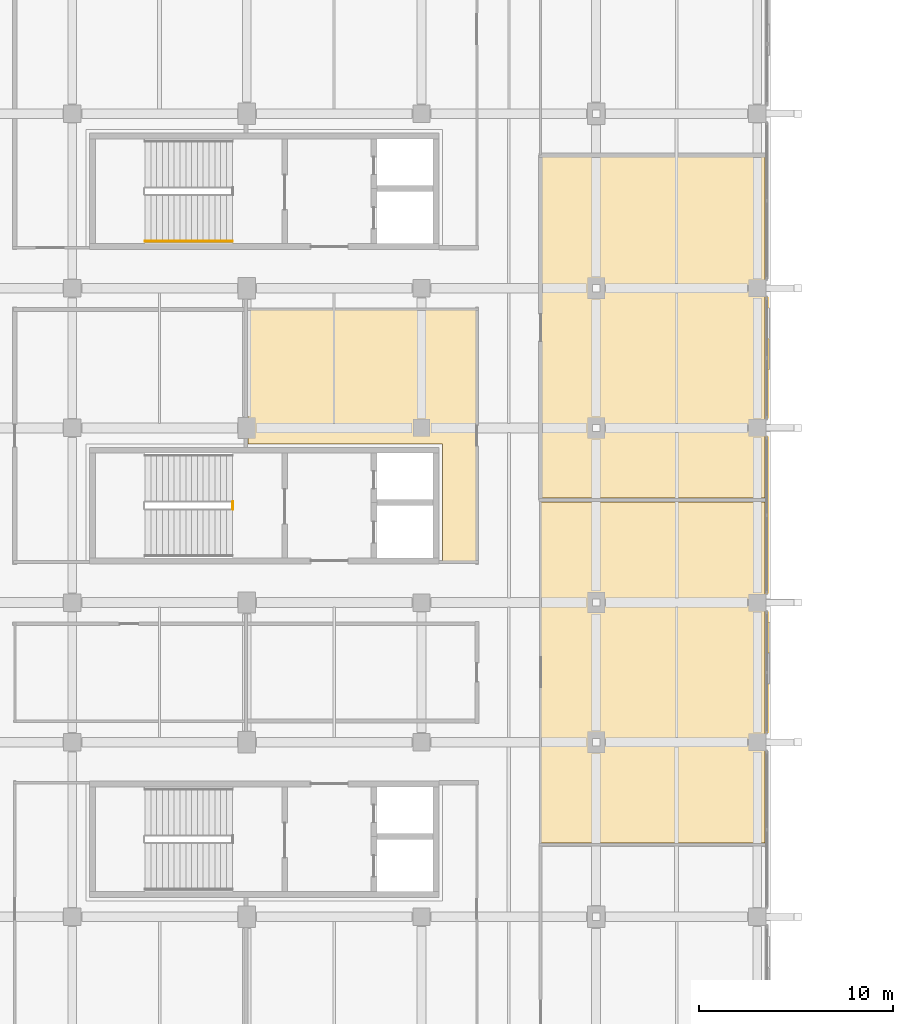
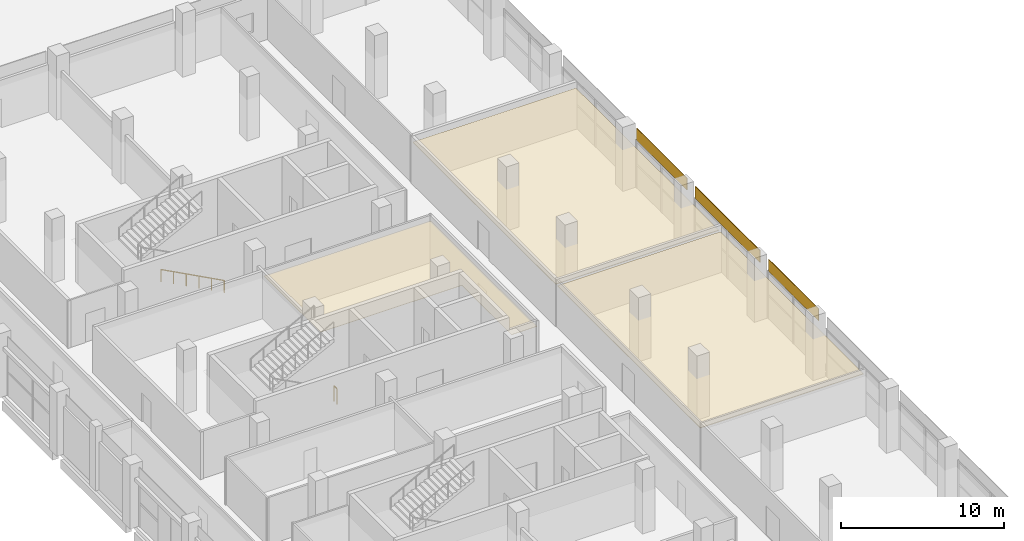
# One storey, part 69 of 82: 6 coverings, 2 railings.
"""IFC4 building model written with IfcOpenShell, lengths in metres."""

from ifc_helpers import new_model, si_unit, direction, frame, origin, origin_2d, place, context, subcontext, project, spatial, polyline, rectangle, circle, outline, extrude, material, layer, layer_set, type_object, element, save


model = new_model("IFC4")

# Units and contexts
model_context = context("Model", 3, precision=1e-05, world=origin(), true_north=direction((0.0, 1.0)))
body_context = subcontext(model_context, "Body", "Model", "MODEL_VIEW")
ifc_project = project(units=[si_unit("LENGTHUNIT", "METRE"), si_unit("AREAUNIT", "SQUARE_METRE"), si_unit("VOLUMEUNIT", "CUBIC_METRE"), si_unit("PLANEANGLEUNIT", "RADIAN"), si_unit("MASSUNIT", "GRAM", prefix="KILO"), si_unit("THERMODYNAMICTEMPERATUREUNIT", "KELVIN"), si_unit("POWERUNIT", "WATT")], contexts=[model_context])

# Site, building, storey
site_placement = place(None, origin())
site = spatial("IfcSite", under=ifc_project, at=site_placement, CompositionType="ELEMENT")
building_placement = place(site_placement, origin())
building = spatial("IfcBuilding", under=site, at=building_placement, Name="Sindhuravela Promenade Stadium", CompositionType="ELEMENT")
storey_placement = place(building_placement, frame((0.0, 0.0, 14.39990234375)))
storey = spatial("IfcBuildingStorey", under=building, at=storey_placement, Name="L03", CompositionType="ELEMENT", Elevation=14.39990234375)

# Coverings
ifc_material_1 = material(Name="Acoustic mineral-fibre ceiling tile", Category="gypsum")
ifc_layer_1 = layer(ifc_material_1, 0.02490234375)
ifc_layer_set_1 = layer_set([ifc_layer_1], Name="Acoustic mineral-fibre ceiling tile")
covering_type_1 = type_object("IfcCoveringType", Name="CV-CEIL-1", PredefinedType="CEILING", material=ifc_layer_set_1)
covering_1_placement = place(storey_placement, frame((0.0, 0.0, 3.050048828125)))
element("IfcCovering", 1, at=covering_1_placement, inside=storey, type_object=covering_type_1, Name="Acoustic ceiling Executive Hospitality Suite W02 4", PredefinedType="CEILING", context=body_context, shape_type="SweptSolid", body=[
    extrude(outline(polyline([(29.860107421875, 99.72998046875), (29.862060546875, 99.72998046875), (29.864013671875, 99.7294921875), (29.86572265625, 99.72900390625), (29.86767578125, 99.728515625), (29.869384765625, 99.7275390625), (29.87109375, 99.7265625), (29.872802734375, 99.7255859375), (29.8740234375, 99.72412109375), (29.87548828125, 99.72265625), (29.876708984375, 99.72119140625), (29.877685546875, 99.719482421875), (29.87841796875, 99.7177734375), (29.879150390625, 99.7158203125), (29.879638671875, 99.7138671875), (29.8798828125, 99.7119140625), (29.8798828125, 99.7099609375), (29.8798828125, 86.68994140625), (29.8798828125, 86.68798828125), (29.879638671875, 86.68603515625), (29.879150390625, 86.68408203125), (29.87841796875, 86.682373046875), (29.877685546875, 86.6806640625), (29.876708984375, 86.678955078125), (29.87548828125, 86.67724609375), (29.8740234375, 86.67578125), (29.872802734375, 86.674560546875), (29.87109375, 86.67333984375), (29.869384765625, 86.67236328125), (29.86767578125, 86.67138671875), (29.86572265625, 86.6708984375), (29.864013671875, 86.67041015625), (29.862060546875, 86.670166015625), (29.860107421875, 86.669921875), (28.10009765625, 86.669921875), (28.097900390625, 86.670166015625), (28.09619140625, 86.67041015625), (28.09423828125, 86.6708984375), (28.09228515625, 86.67138671875), (28.090576171875, 86.67236328125), (28.0888671875, 86.67333984375), (28.08740234375, 86.674560546875), (28.0859375, 86.67578125), (28.08447265625, 86.67724609375), (28.08349609375, 86.678955078125), (28.08251953125, 86.6806640625), (28.08154296875, 86.682373046875), (28.080810546875, 86.68408203125), (28.080322265625, 86.68603515625), (28.080078125, 86.68798828125), (28.080078125, 86.68994140625), (28.080078125, 92.780029296875), (18.070068359375, 92.780029296875), (18.068115234375, 92.780029296875), (18.066162109375, 92.780517578125), (18.064208984375, 92.781005859375), (18.062255859375, 92.781494140625), (18.060546875, 92.782470703125), (18.058837890625, 92.783447265625), (18.057373046875, 92.784423828125), (18.055908203125, 92.785888671875), (18.054443359375, 92.787353515625), (18.053466796875, 92.788818359375), (18.052490234375, 92.79052734375), (18.051513671875, 92.792236328125), (18.05078125, 92.794189453125), (18.05029296875, 92.796142578125), (18.050048828125, 92.798095703125), (18.050048828125, 92.800048828125), (18.050048828125, 99.7099609375), (18.050048828125, 99.7119140625), (18.05029296875, 99.7138671875), (18.05078125, 99.7158203125), (18.051513671875, 99.7177734375), (18.052490234375, 99.719482421875), (18.053466796875, 99.72119140625), (18.054443359375, 99.72265625), (18.055908203125, 99.72412109375), (18.057373046875, 99.7255859375), (18.058837890625, 99.7265625), (18.060546875, 99.7275390625), (18.062255859375, 99.728515625), (18.064208984375, 99.72900390625), (18.066162109375, 99.7294921875), (18.068115234375, 99.72998046875), (18.070068359375, 99.72998046875), (29.860107421875, 99.72998046875)])), origin(), (0.0, 0.0, 1.0), 0.025146484375),
])
ifc_layer_2 = layer(ifc_material_1, 0.044921875)
ifc_layer_set_2 = layer_set([ifc_layer_2], Name="Acoustic mineral-fibre ceiling tile")
covering_type_2 = type_object("IfcCoveringType", Name="CV-CEIL-2", PredefinedType="CEILING", material=ifc_layer_set_2)
covering_2_placement = place(storey_placement, frame((0.0, 0.0, 3.050048828125)))
element("IfcCovering", 2, at=covering_2_placement, inside=storey, type_object=covering_type_2, Name="Acoustic ceiling Banquet Production Kitchen", PredefinedType="CEILING", context=body_context, shape_type="SweptSolid", body=[
    extrude(outline(polyline([(44.699951171875, 90.006103515625), (44.699951171875, 90.00390625), (44.69970703125, 90.002197265625), (44.69921875, 90.000244140625), (44.698486328125, 89.998291015625), (44.697509765625, 89.99658203125), (44.696533203125, 89.994873046875), (44.695556640625, 89.993408203125), (44.694091796875, 89.991943359375), (44.692626953125, 89.990478515625), (44.691162109375, 89.989501953125), (44.689453125, 89.98828125), (44.687744140625, 89.987548828125), (44.685791015625, 89.98681640625), (44.683837890625, 89.986328125), (44.681884765625, 89.986083984375), (44.679931640625, 89.986083984375), (33.139892578125, 89.986083984375), (33.137939453125, 89.986083984375), (33.135986328125, 89.986328125), (33.13427734375, 89.98681640625), (33.13232421875, 89.987548828125), (33.130615234375, 89.98828125), (33.12890625, 89.989501953125), (33.127197265625, 89.990478515625), (33.1259765625, 89.991943359375), (33.12451171875, 89.993408203125), (33.123291015625, 89.994873046875), (33.122314453125, 89.99658203125), (33.12158203125, 89.998291015625), (33.120849609375, 90.000244140625), (33.120361328125, 90.002197265625), (33.1201171875, 90.00390625), (33.1201171875, 90.006103515625), (33.1201171875, 107.5380859375), (33.1201171875, 107.5400390625), (33.120361328125, 107.5419921875), (33.120849609375, 107.543701171875), (33.12158203125, 107.545654296875), (33.122314453125, 107.54736328125), (33.123291015625, 107.549072265625), (33.12451171875, 107.55078125), (33.1259765625, 107.552001953125), (33.127197265625, 107.553466796875), (33.12890625, 107.5546875), (33.130615234375, 107.5556640625), (33.13232421875, 107.556396484375), (33.13427734375, 107.55712890625), (33.135986328125, 107.5576171875), (33.137939453125, 107.557861328125), (33.139892578125, 107.55810546875), (44.679931640625, 107.55810546875), (44.681884765625, 107.557861328125), (44.683837890625, 107.5576171875), (44.685791015625, 107.55712890625), (44.687744140625, 107.556396484375), (44.689453125, 107.5556640625), (44.691162109375, 107.5546875), (44.692626953125, 107.553466796875), (44.694091796875, 107.552001953125), (44.695556640625, 107.55078125), (44.696533203125, 107.549072265625), (44.697509765625, 107.54736328125), (44.698486328125, 107.545654296875), (44.69921875, 107.543701171875), (44.69970703125, 107.5419921875), (44.699951171875, 107.5400390625), (44.699951171875, 107.5380859375), (44.699951171875, 90.006103515625)])), origin(), (0.0, 0.0, 1.0), 0.045166015625),
])
covering_3_placement = place(storey_placement, frame((0.0, 0.0, 3.050048828125)))
element("IfcCovering", 3, at=covering_3_placement, inside=storey, type_object=covering_type_2, Name="Acoustic ceiling Hospitality Toilet Suite West L03", PredefinedType="CEILING", context=body_context, shape_type="SweptSolid", body=[
    extrude(outline(polyline([(44.699951171875, 72.23388671875), (44.699951171875, 72.23193359375), (44.69970703125, 72.22998046875), (44.69921875, 72.228271484375), (44.698486328125, 72.226318359375), (44.697509765625, 72.224609375), (44.696533203125, 72.222900390625), (44.695556640625, 72.22119140625), (44.694091796875, 72.219970703125), (44.692626953125, 72.218505859375), (44.691162109375, 72.21728515625), (44.689453125, 72.21630859375), (44.687744140625, 72.215576171875), (44.685791015625, 72.21484375), (44.683837890625, 72.21435546875), (44.681884765625, 72.214111328125), (44.679931640625, 72.214111328125), (33.139892578125, 72.214111328125), (33.137939453125, 72.214111328125), (33.135986328125, 72.21435546875), (33.13427734375, 72.21484375), (33.13232421875, 72.215576171875), (33.130615234375, 72.21630859375), (33.12890625, 72.21728515625), (33.127197265625, 72.218505859375), (33.1259765625, 72.219970703125), (33.12451171875, 72.22119140625), (33.123291015625, 72.222900390625), (33.122314453125, 72.224609375), (33.12158203125, 72.226318359375), (33.120849609375, 72.228271484375), (33.120361328125, 72.22998046875), (33.1201171875, 72.23193359375), (33.1201171875, 72.23388671875), (33.1201171875, 89.76611328125), (33.1201171875, 89.76806640625), (33.120361328125, 89.77001953125), (33.120849609375, 89.771728515625), (33.12158203125, 89.773681640625), (33.122314453125, 89.775390625), (33.123291015625, 89.777099609375), (33.12451171875, 89.77880859375), (33.1259765625, 89.780029296875), (33.127197265625, 89.781494140625), (33.12890625, 89.78271484375), (33.130615234375, 89.78369140625), (33.13232421875, 89.784423828125), (33.13427734375, 89.78515625), (33.135986328125, 89.78564453125), (33.137939453125, 89.785888671875), (33.139892578125, 89.785888671875), (44.679931640625, 89.785888671875), (44.681884765625, 89.785888671875), (44.683837890625, 89.78564453125), (44.685791015625, 89.78515625), (44.687744140625, 89.784423828125), (44.689453125, 89.78369140625), (44.691162109375, 89.78271484375), (44.692626953125, 89.781494140625), (44.694091796875, 89.780029296875), (44.695556640625, 89.77880859375), (44.696533203125, 89.777099609375), (44.697509765625, 89.775390625), (44.698486328125, 89.773681640625), (44.69921875, 89.771728515625), (44.69970703125, 89.77001953125), (44.699951171875, 89.76806640625), (44.699951171875, 89.76611328125), (44.699951171875, 72.23388671875)])), origin(), (0.0, 0.0, 1.0), 0.045166015625),
])
ifc_material_2 = material(Name="Polychrome trencadis ceramic mosaic", Category="masonry")
ifc_layer_3 = layer(ifc_material_2, 0.034912109375)
ifc_layer_set_3 = layer_set([ifc_layer_3], Name="Polychrome trencadis ceramic mosaic")
covering_type_3 = type_object("IfcCoveringType", Name="CV-TRENC-1", PredefinedType="CLADDING", material=ifc_layer_set_3)
for number, where, z_axis, x_axis, name in (
    (4, (44.820068359375, 97.199951171875, 3.55517578125), (0.0, 0.0, 1.0), (0.0, -1.0, 0.0), "Trencadis ceramic mosaic spandrel frieze WEST L03-88"),
    (5, (44.820068359375, 81.0, 3.55517578125), (0.0, 0.0, 1.0), (0.0, -1.0, 0.0), "Trencadis ceramic mosaic spandrel frieze WEST L03-90"),
):
    element("IfcCovering", number, at=place(storey_placement, frame(where, z_axis=z_axis, x_axis=x_axis)), inside=storey, type_object=covering_type_3, Name=name, PredefinedType="CLADDING", context=body_context, shape_type="SweptSolid", body=[
        extrude(rectangle(XDim=6.169921875, YDim=0.034912109375, at=origin_2d()), origin(), (0.0, 0.0, 1.0), 0.905029296875),
    ])
ifc_layer_4 = layer(ifc_material_2, 0.050048828125)
ifc_layer_set_4 = layer_set([ifc_layer_4], Name="Polychrome trencadis ceramic mosaic")
covering_type_4 = type_object("IfcCoveringType", Name="CV-TRENC-2", PredefinedType="CLADDING", material=ifc_layer_set_4)
covering_4_placement = place(storey_placement, frame((44.820068359375, 89.10009765625, 3.55517578125), z_axis=(0.0, 0.0, 1.0), x_axis=(0.0, -1.0, 0.0)))
element("IfcCovering", 6, at=covering_4_placement, inside=storey, type_object=covering_type_4, Name="Trencadis ceramic mosaic spandrel frieze WEST L03-89", PredefinedType="CLADDING", context=body_context, shape_type="SweptSolid", body=[
    extrude(rectangle(XDim=7.969970703125, YDim=0.050048828125, at=origin_2d()), origin(), (0.0, 0.0, 1.0), 0.905029296875),
])

# Railings
ifc_material_3 = material(Name="Architectural wrought steel E350", Category="steel")
railing_type_1 = type_object("IfcRailingType", Name="RL-GRD-1150", PredefinedType="GUARDRAIL", material=ifc_material_3)
railing_1_placement = place(storey_placement, frame((17.280029296875, 89.409912109375, 0.0)))
element("IfcRailing", 7, at=railing_1_placement, inside=storey, type_object=railing_type_1, Name="Stair ST03 landing well slot guard (L03)", PredefinedType="GUARDRAIL", context=body_context, shape_type="SweptSolid", body=[
    extrude(circle(Radius=0.02392578125, at=origin_2d()), frame((0.0, 0.0, 1.1259765625), z_axis=(0.0, 1.0, 0.0), x_axis=(-1.0, 0.0, 0.0)), (0.0, 0.0, 1.0), 0.380126953125),
    extrude(circle(Radius=0.02099609375, at=origin_2d()), origin(), (0.0, 0.0, 1.0), 1.101806640625),
    extrude(circle(Radius=0.02099609375, at=origin_2d()), frame((0.0, 0.380126953125, 0.0)), (0.0, 0.0, 1.0), 1.101806640625),
])
railing_type_2 = type_object("IfcRailingType", Name="RL-HND-920", PredefinedType="HANDRAIL", material=ifc_material_3)
railing_2_placement = place(storey_placement, frame((17.25, 103.219970703125, 0.0)))
element("IfcRailing", 8, at=railing_2_placement, inside=storey, type_object=railing_type_2, Name="Stair ST04 lower wall handrail (L03)", PredefinedType="HANDRAIL", context=body_context, shape_type="SweptSolid", body=[
    extrude(circle(Radius=0.02392578125, at=origin_2d()), frame((0.0, 0.0, 0.89599609375), z_axis=(-0.8823410147872734, 0.0, 0.47061059659145427), x_axis=(0.0, -1.0, 0.0)), (0.0, 0.0, 1.0), 5.10009765625),
    extrude(circle(Radius=0.02099609375, at=origin_2d()), origin(), (0.0, 0.0, 1.0), 0.871826171875),
    extrude(circle(Radius=0.02099609375, at=origin_2d()), frame((-0.89990234375, 0.0, 0.47998046875)), (0.0, 0.0, 1.0), 0.871826171875),
    extrude(circle(Radius=0.02099609375, at=origin_2d()), frame((-1.800048828125, 0.0, 0.9599609375)), (0.0, 0.0, 1.0), 0.871826171875),
    extrude(circle(Radius=0.02099609375, at=origin_2d()), frame((-2.699951171875, 0.0, 1.440185546875)), (0.0, 0.0, 1.0), 0.871826171875),
    extrude(circle(Radius=0.02099609375, at=origin_2d()), frame((-3.60009765625, 0.0, 1.920166015625)), (0.0, 0.0, 1.0), 0.871826171875),
    extrude(circle(Radius=0.02099609375, at=origin_2d()), frame((-4.5, 0.0, 2.400146484375)), (0.0, 0.0, 1.0), 0.871826171875),
])

save(model, "model.ifc")
